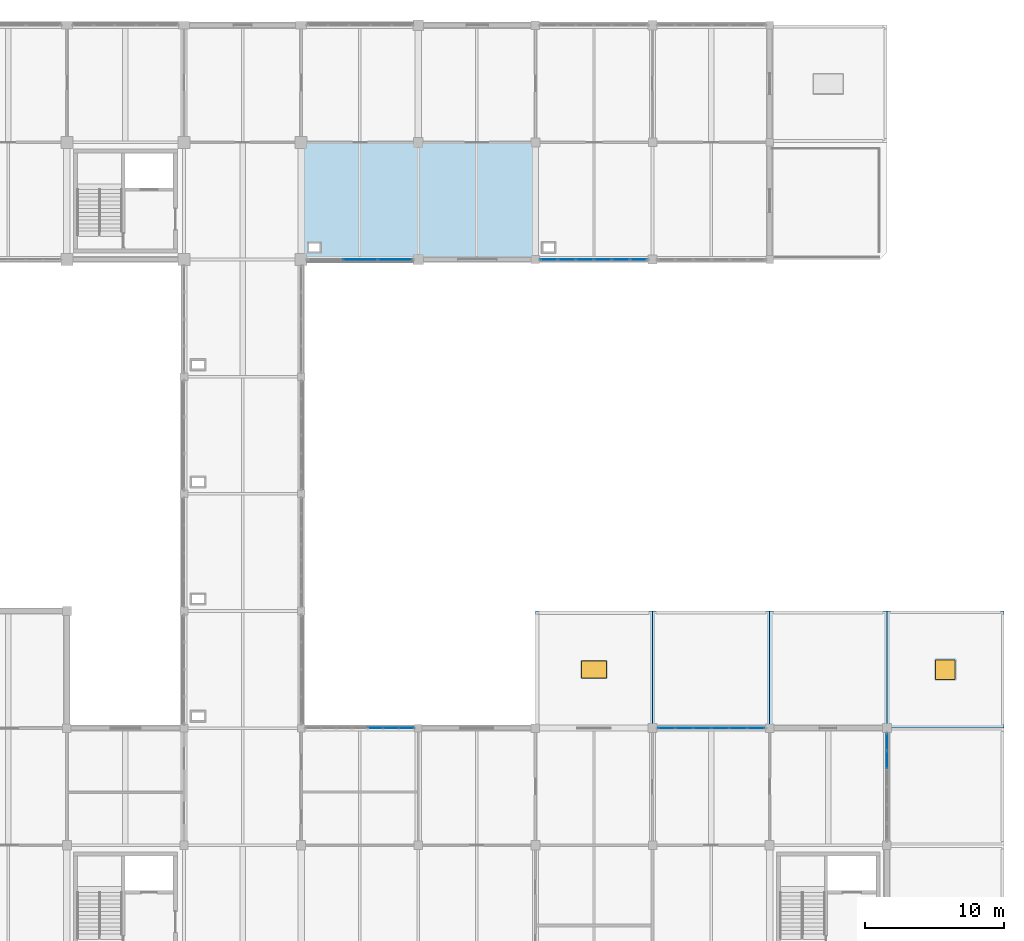
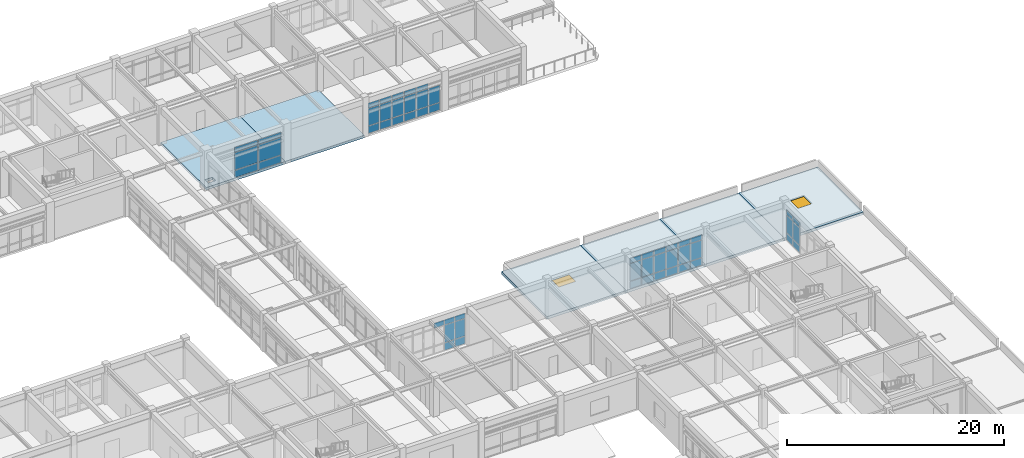
# One storey, part 56 of 78: 54 plates, 6 slabs, 2 windows, 2 openings, 5 elements without a shape of their own.
"""IFC4 building model written with IfcOpenShell, lengths in metres."""

from ifc_helpers import new_model, si_unit, direction, frame, origin, origin_2d, place, context, subcontext, project, spatial, polyline, rectangle, outline, extrude, material, layer, layer_set, type_object, element, fill, aggregate, save


model = new_model("IFC4")

# Units and contexts
model_context = context("Model", 3, precision=1e-05, world=origin(), true_north=direction((0.0, 1.0)))
body_context = subcontext(model_context, "Body", "Model", "MODEL_VIEW")
ifc_project = project(units=[si_unit("LENGTHUNIT", "METRE"), si_unit("AREAUNIT", "SQUARE_METRE"), si_unit("VOLUMEUNIT", "CUBIC_METRE"), si_unit("PLANEANGLEUNIT", "RADIAN"), si_unit("MASSUNIT", "GRAM", prefix="KILO")], contexts=[model_context])

# Site, building, storey
site_placement = place(None, origin())
site = spatial("IfcSite", under=ifc_project, at=site_placement, CompositionType="ELEMENT")
building_placement = place(site_placement, origin())
building = spatial("IfcBuilding", under=site, at=building_placement, Name="Porcellanite Civic Hall", CompositionType="ELEMENT")
storey_placement = place(building_placement, frame((0.0, 0.0, 10.260009765625)))
storey = spatial("IfcBuildingStorey", under=building, at=storey_placement, Name="L02", CompositionType="ELEMENT", Elevation=10.260009765625)

# Curtain wall, plates
ifc_material_1 = material(Name="Anodised aluminium and solar laminated glass", Category="aluminium")
ifc_layer_1 = layer(ifc_material_1, 0.179931640625)
ifc_layer_set_1 = layer_set([ifc_layer_1], Name="Anodised aluminium and solar laminated glass")
curtain_wall_type_1 = type_object("IfcCurtainWallType", Name="CW-SYS07", PredefinedType="NOTDEFINED", material=ifc_layer_set_1)
curtain_wall_1_placement = place(storey_placement, origin())
curtain_wall_1 = element("IfcCurtainWall", 1, at=curtain_wall_1_placement, inside=storey, type_object=curtain_wall_type_1, Name="Curtain wall CW-171", PredefinedType="NOTDEFINED")
ifc_material_2 = material(Name="Cyclone laminated solar-control low-E glass", Category="glass")
ifc_layer_2 = layer(ifc_material_2, 0.02587890625)
ifc_layer_set_2 = layer_set([ifc_layer_2], Name="Cyclone laminated solar-control low-E glass")
plate_type_1 = type_object("IfcPlateType", Name="CWP-02", PredefinedType="CURTAIN_PANEL", material=ifc_layer_set_2)
plate_1_placement = place(storey_placement, frame((131.321044921875, 67.199951171875, 2.9150390625), z_axis=(0.0, 0.0, 1.0), x_axis=(1.0, 0.0, 0.0)))
plate_1 = element("IfcPlate", 2, at=plate_1_placement, type_object=plate_type_1, Name="CW-171 panel 5.3", PredefinedType="CURTAIN_PANEL", context=body_context, shape_type="SweptSolid", body=[
    extrude(rectangle(XDim=1.06103515625, YDim=0.02587890625, at=origin_2d()), origin(), (0.0, 0.0, 1.0), 0.574951171875),
])
plate_2_placement = place(storey_placement, frame((132.4423828125, 67.199951171875, 0.0498046875), z_axis=(0.0, 0.0, 1.0), x_axis=(1.0, 0.0, 0.0)))
plate_2 = element("IfcPlate", 3, at=plate_2_placement, type_object=plate_type_1, Name="CW-171 panel 6.1", PredefinedType="CURTAIN_PANEL", context=body_context, shape_type="SweptSolid", body=[
    extrude(rectangle(XDim=1.06103515625, YDim=0.02587890625, at=origin_2d()), origin(), (0.0, 0.0, 1.0), 0.824951171875),
])
plate_3_placement = place(storey_placement, frame((132.4423828125, 67.199951171875, 0.925048828125), z_axis=(0.0, 0.0, 1.0), x_axis=(1.0, 0.0, 0.0)))
plate_3 = element("IfcPlate", 4, at=plate_3_placement, type_object=plate_type_1, Name="CW-171 panel 6.2", PredefinedType="CURTAIN_PANEL", context=body_context, shape_type="SweptSolid", body=[
    extrude(rectangle(XDim=1.06103515625, YDim=0.02587890625, at=origin_2d()), origin(), (0.0, 0.0, 1.0), 1.93994140625),
])
plate_4_placement = place(storey_placement, frame((132.4423828125, 67.199951171875, 2.9150390625), z_axis=(0.0, 0.0, 1.0), x_axis=(1.0, 0.0, 0.0)))
plate_4 = element("IfcPlate", 5, at=plate_4_placement, type_object=plate_type_1, Name="CW-171 panel 6.3", PredefinedType="CURTAIN_PANEL", context=body_context, shape_type="SweptSolid", body=[
    extrude(rectangle(XDim=1.06103515625, YDim=0.02587890625, at=origin_2d()), origin(), (0.0, 0.0, 1.0), 0.574951171875),
])
plate_5_placement = place(storey_placement, frame((133.54833984375, 67.199951171875, 0.0498046875), z_axis=(0.0, 0.0, 1.0), x_axis=(1.0, 0.0, 0.0)))
plate_5 = element("IfcPlate", 6, at=plate_5_placement, type_object=plate_type_1, Name="CW-171 panel 7.1", PredefinedType="CURTAIN_PANEL", context=body_context, shape_type="SweptSolid", body=[
    extrude(rectangle(XDim=1.03125, YDim=0.02587890625, at=origin_2d()), origin(), (0.0, 0.0, 1.0), 0.824951171875),
])
plate_6_placement = place(storey_placement, frame((133.54833984375, 67.199951171875, 0.925048828125), z_axis=(0.0, 0.0, 1.0), x_axis=(1.0, 0.0, 0.0)))
plate_6 = element("IfcPlate", 7, at=plate_6_placement, type_object=plate_type_1, Name="CW-171 panel 7.2", PredefinedType="CURTAIN_PANEL", context=body_context, shape_type="SweptSolid", body=[
    extrude(rectangle(XDim=1.03125, YDim=0.02587890625, at=origin_2d()), origin(), (0.0, 0.0, 1.0), 1.93994140625),
])
plate_7_placement = place(storey_placement, frame((133.54833984375, 67.199951171875, 2.9150390625), z_axis=(0.0, 0.0, 1.0), x_axis=(1.0, 0.0, 0.0)))
plate_7 = element("IfcPlate", 8, at=plate_7_placement, type_object=plate_type_1, Name="CW-171 panel 7.3", PredefinedType="CURTAIN_PANEL", context=body_context, shape_type="SweptSolid", body=[
    extrude(rectangle(XDim=1.03125, YDim=0.02587890625, at=origin_2d()), origin(), (0.0, 0.0, 1.0), 0.574951171875),
])
aggregate(curtain_wall_1, [plate_1, plate_2, plate_3, plate_4, plate_5, plate_6, plate_7])

ifc_material_3 = material(Name="Anodised aluminium and solar laminated glass", Category="aluminium")
ifc_layer_3 = layer(ifc_material_3, 0.179931640625)
ifc_layer_set_3 = layer_set([ifc_layer_3], Name="Anodised aluminium and solar laminated glass")
curtain_wall_type_2 = type_object("IfcCurtainWallType", Name="CW-SYS02", PredefinedType="NOTDEFINED", material=ifc_layer_set_3)
curtain_wall_2_placement = place(storey_placement, origin())
curtain_wall_2 = element("IfcCurtainWall", 9, at=curtain_wall_2_placement, inside=storey, type_object=curtain_wall_type_2, Name="Curtain wall CW-176", PredefinedType="NOTDEFINED")
plate_8_placement = place(storey_placement, frame((150.20751953125, 100.800048828125, 0.06494140625), z_axis=(0.0, 0.0, 1.0), x_axis=(-1.0, 0.0, 0.0)))
plate_8 = element("IfcPlate", 10, at=plate_8_placement, type_object=plate_type_1, Name="CW-176 panel 1.1", PredefinedType="CURTAIN_PANEL", context=body_context, shape_type="SweptSolid", body=[
    extrude(rectangle(XDim=1.18310546875, YDim=0.02587890625, at=origin_2d()), origin(), (0.0, 0.0, 1.0), 0.802490234375),
])
plate_9_placement = place(storey_placement, frame((150.20751953125, 100.800048828125, 0.9326171875), z_axis=(0.0, 0.0, 1.0), x_axis=(-1.0, 0.0, 0.0)))
plate_9 = element("IfcPlate", 11, at=plate_9_placement, type_object=plate_type_1, Name="CW-176 panel 1.2", PredefinedType="CURTAIN_PANEL", context=body_context, shape_type="SweptSolid", body=[
    extrude(rectangle(XDim=1.18310546875, YDim=0.02587890625, at=origin_2d()), origin(), (0.0, 0.0, 1.0), 1.925048828125),
])
plate_10_placement = place(storey_placement, frame((148.9306640625, 100.800048828125, 0.06494140625), z_axis=(0.0, 0.0, 1.0), x_axis=(-1.0, 0.0, 0.0)))
plate_10 = element("IfcPlate", 12, at=plate_10_placement, type_object=plate_type_1, Name="CW-176 panel 2.1", PredefinedType="CURTAIN_PANEL", context=body_context, shape_type="SweptSolid", body=[
    extrude(rectangle(XDim=1.220458984375, YDim=0.02587890625, at=origin_2d()), origin(), (0.0, 0.0, 1.0), 0.802490234375),
])
plate_11_placement = place(storey_placement, frame((148.9306640625, 100.800048828125, 0.9326171875), z_axis=(0.0, 0.0, 1.0), x_axis=(-1.0, 0.0, 0.0)))
plate_11 = element("IfcPlate", 13, at=plate_11_placement, type_object=plate_type_1, Name="CW-176 panel 2.2", PredefinedType="CURTAIN_PANEL", context=body_context, shape_type="SweptSolid", body=[
    extrude(rectangle(XDim=1.220458984375, YDim=0.02587890625, at=origin_2d()), origin(), (0.0, 0.0, 1.0), 1.925048828125),
])
plate_12_placement = place(storey_placement, frame((148.9306640625, 100.800048828125, 2.92236328125), z_axis=(0.0, 0.0, 1.0), x_axis=(-1.0, 0.0, 0.0)))
plate_12 = element("IfcPlate", 14, at=plate_12_placement, type_object=plate_type_1, Name="CW-176 panel 2.3", PredefinedType="CURTAIN_PANEL", context=body_context, shape_type="SweptSolid", body=[
    extrude(rectangle(XDim=1.220458984375, YDim=0.02587890625, at=origin_2d()), origin(), (0.0, 0.0, 1.0), 0.552490234375),
])
plate_13_placement = place(storey_placement, frame((147.63525390625, 100.800048828125, 0.06494140625), z_axis=(0.0, 0.0, 1.0), x_axis=(-1.0, 0.0, 0.0)))
plate_13 = element("IfcPlate", 15, at=plate_13_placement, type_object=plate_type_1, Name="CW-176 panel 3.1", PredefinedType="CURTAIN_PANEL", context=body_context, shape_type="SweptSolid", body=[
    extrude(rectangle(XDim=1.220458984375, YDim=0.02587890625, at=origin_2d()), origin(), (0.0, 0.0, 1.0), 0.802490234375),
])
plate_14_placement = place(storey_placement, frame((147.63525390625, 100.800048828125, 0.9326171875), z_axis=(0.0, 0.0, 1.0), x_axis=(-1.0, 0.0, 0.0)))
plate_14 = element("IfcPlate", 16, at=plate_14_placement, type_object=plate_type_1, Name="CW-176 panel 3.2", PredefinedType="CURTAIN_PANEL", context=body_context, shape_type="SweptSolid", body=[
    extrude(rectangle(XDim=1.220458984375, YDim=0.02587890625, at=origin_2d()), origin(), (0.0, 0.0, 1.0), 1.925048828125),
])
plate_15_placement = place(storey_placement, frame((147.63525390625, 100.800048828125, 2.92236328125), z_axis=(0.0, 0.0, 1.0), x_axis=(-1.0, 0.0, 0.0)))
plate_15 = element("IfcPlate", 17, at=plate_15_placement, type_object=plate_type_1, Name="CW-176 panel 3.3", PredefinedType="CURTAIN_PANEL", context=body_context, shape_type="SweptSolid", body=[
    extrude(rectangle(XDim=1.220458984375, YDim=0.02587890625, at=origin_2d()), origin(), (0.0, 0.0, 1.0), 0.552490234375),
])
plate_16_placement = place(storey_placement, frame((146.33984375, 100.800048828125, 0.06494140625), z_axis=(0.0, 0.0, 1.0), x_axis=(-1.0, 0.0, 0.0)))
plate_16 = element("IfcPlate", 18, at=plate_16_placement, type_object=plate_type_1, Name="CW-176 panel 4.1", PredefinedType="CURTAIN_PANEL", context=body_context, shape_type="SweptSolid", body=[
    extrude(rectangle(XDim=1.220458984375, YDim=0.02587890625, at=origin_2d()), origin(), (0.0, 0.0, 1.0), 0.802490234375),
])
plate_17_placement = place(storey_placement, frame((146.33984375, 100.800048828125, 0.9326171875), z_axis=(0.0, 0.0, 1.0), x_axis=(-1.0, 0.0, 0.0)))
plate_17 = element("IfcPlate", 19, at=plate_17_placement, type_object=plate_type_1, Name="CW-176 panel 4.2", PredefinedType="CURTAIN_PANEL", context=body_context, shape_type="SweptSolid", body=[
    extrude(rectangle(XDim=1.220458984375, YDim=0.02587890625, at=origin_2d()), origin(), (0.0, 0.0, 1.0), 1.925048828125),
])
plate_18_placement = place(storey_placement, frame((146.33984375, 100.800048828125, 2.92236328125), z_axis=(0.0, 0.0, 1.0), x_axis=(-1.0, 0.0, 0.0)))
plate_18 = element("IfcPlate", 20, at=plate_18_placement, type_object=plate_type_1, Name="CW-176 panel 4.3", PredefinedType="CURTAIN_PANEL", context=body_context, shape_type="SweptSolid", body=[
    extrude(rectangle(XDim=1.220458984375, YDim=0.02587890625, at=origin_2d()), origin(), (0.0, 0.0, 1.0), 0.552490234375),
])
plate_19_placement = place(storey_placement, frame((145.044189453125, 100.800048828125, 0.06494140625), z_axis=(0.0, 0.0, 1.0), x_axis=(-1.0, 0.0, 0.0)))
plate_19 = element("IfcPlate", 21, at=plate_19_placement, type_object=plate_type_1, Name="CW-176 panel 5.1", PredefinedType="CURTAIN_PANEL", context=body_context, shape_type="SweptSolid", body=[
    extrude(rectangle(XDim=1.220458984375, YDim=0.02587890625, at=origin_2d()), origin(), (0.0, 0.0, 1.0), 0.802490234375),
])
plate_20_placement = place(storey_placement, frame((145.044189453125, 100.800048828125, 0.9326171875), z_axis=(0.0, 0.0, 1.0), x_axis=(-1.0, 0.0, 0.0)))
plate_20 = element("IfcPlate", 22, at=plate_20_placement, type_object=plate_type_1, Name="CW-176 panel 5.2", PredefinedType="CURTAIN_PANEL", context=body_context, shape_type="SweptSolid", body=[
    extrude(rectangle(XDim=1.220458984375, YDim=0.02587890625, at=origin_2d()), origin(), (0.0, 0.0, 1.0), 1.925048828125),
])
plate_21_placement = place(storey_placement, frame((145.044189453125, 100.800048828125, 2.92236328125), z_axis=(0.0, 0.0, 1.0), x_axis=(-1.0, 0.0, 0.0)))
plate_21 = element("IfcPlate", 23, at=plate_21_placement, type_object=plate_type_1, Name="CW-176 panel 5.3", PredefinedType="CURTAIN_PANEL", context=body_context, shape_type="SweptSolid", body=[
    extrude(rectangle(XDim=1.220458984375, YDim=0.02587890625, at=origin_2d()), origin(), (0.0, 0.0, 1.0), 0.552490234375),
])
plate_22_placement = place(storey_placement, frame((143.767578125, 100.800048828125, 0.06494140625), z_axis=(0.0, 0.0, 1.0), x_axis=(-1.0, 0.0, 0.0)))
plate_22 = element("IfcPlate", 24, at=plate_22_placement, type_object=plate_type_1, Name="CW-176 panel 6.1", PredefinedType="CURTAIN_PANEL", context=body_context, shape_type="SweptSolid", body=[
    extrude(rectangle(XDim=1.18310546875, YDim=0.02587890625, at=origin_2d()), origin(), (0.0, 0.0, 1.0), 0.802490234375),
])
plate_23_placement = place(storey_placement, frame((143.767578125, 100.800048828125, 0.9326171875), z_axis=(0.0, 0.0, 1.0), x_axis=(-1.0, 0.0, 0.0)))
plate_23 = element("IfcPlate", 25, at=plate_23_placement, type_object=plate_type_1, Name="CW-176 panel 6.2", PredefinedType="CURTAIN_PANEL", context=body_context, shape_type="SweptSolid", body=[
    extrude(rectangle(XDim=1.18310546875, YDim=0.02587890625, at=origin_2d()), origin(), (0.0, 0.0, 1.0), 1.925048828125),
])
plate_24_placement = place(storey_placement, frame((143.767578125, 100.800048828125, 2.92236328125), z_axis=(0.0, 0.0, 1.0), x_axis=(-1.0, 0.0, 0.0)))
plate_24 = element("IfcPlate", 26, at=plate_24_placement, type_object=plate_type_1, Name="CW-176 panel 6.3", PredefinedType="CURTAIN_PANEL", context=body_context, shape_type="SweptSolid", body=[
    extrude(rectangle(XDim=1.18310546875, YDim=0.02587890625, at=origin_2d()), origin(), (0.0, 0.0, 1.0), 0.552490234375),
])
aggregate(curtain_wall_2, [plate_8, plate_9, plate_10, plate_11, plate_12, plate_13, plate_14, plate_15, plate_16, plate_17, plate_18, plate_19, plate_20, plate_21, plate_22, plate_23, plate_24])

curtain_wall_3_placement = place(storey_placement, origin())
curtain_wall_3 = element("IfcCurtainWall", 27, at=curtain_wall_3_placement, inside=storey, type_object=curtain_wall_type_2, Name="Curtain wall CW-178", PredefinedType="NOTDEFINED")
plate_25_placement = place(storey_placement, frame((152.1923828125, 67.199951171875, 0.06494140625), z_axis=(0.0, 0.0, 1.0), x_axis=(1.0, 0.0, 0.0)))
plate_25 = element("IfcPlate", 28, at=plate_25_placement, type_object=plate_type_1, Name="CW-178 panel 1.1", PredefinedType="CURTAIN_PANEL", context=body_context, shape_type="SweptSolid", body=[
    extrude(rectangle(XDim=1.18310546875, YDim=0.02587890625, at=origin_2d()), origin(), (0.0, 0.0, 1.0), 0.802490234375),
])
plate_26_placement = place(storey_placement, frame((152.1923828125, 67.199951171875, 0.9326171875), z_axis=(0.0, 0.0, 1.0), x_axis=(1.0, 0.0, 0.0)))
plate_26 = element("IfcPlate", 29, at=plate_26_placement, type_object=plate_type_1, Name="CW-178 panel 1.2", PredefinedType="CURTAIN_PANEL", context=body_context, shape_type="SweptSolid", body=[
    extrude(rectangle(XDim=1.18310546875, YDim=0.02587890625, at=origin_2d()), origin(), (0.0, 0.0, 1.0), 1.925048828125),
])
plate_27_placement = place(storey_placement, frame((152.1923828125, 67.199951171875, 2.92236328125), z_axis=(0.0, 0.0, 1.0), x_axis=(1.0, 0.0, 0.0)))
plate_27 = element("IfcPlate", 30, at=plate_27_placement, type_object=plate_type_1, Name="CW-178 panel 1.3", PredefinedType="CURTAIN_PANEL", context=body_context, shape_type="SweptSolid", body=[
    extrude(rectangle(XDim=1.18310546875, YDim=0.02587890625, at=origin_2d()), origin(), (0.0, 0.0, 1.0), 0.552490234375),
])
plate_28_placement = place(storey_placement, frame((153.46923828125, 67.199951171875, 0.06494140625), z_axis=(0.0, 0.0, 1.0), x_axis=(1.0, 0.0, 0.0)))
plate_28 = element("IfcPlate", 31, at=plate_28_placement, type_object=plate_type_1, Name="CW-178 panel 2.1", PredefinedType="CURTAIN_PANEL", context=body_context, shape_type="SweptSolid", body=[
    extrude(rectangle(XDim=1.220458984375, YDim=0.02587890625, at=origin_2d()), origin(), (0.0, 0.0, 1.0), 0.802490234375),
])
plate_29_placement = place(storey_placement, frame((153.46923828125, 67.199951171875, 0.9326171875), z_axis=(0.0, 0.0, 1.0), x_axis=(1.0, 0.0, 0.0)))
plate_29 = element("IfcPlate", 32, at=plate_29_placement, type_object=plate_type_1, Name="CW-178 panel 2.2", PredefinedType="CURTAIN_PANEL", context=body_context, shape_type="SweptSolid", body=[
    extrude(rectangle(XDim=1.220458984375, YDim=0.02587890625, at=origin_2d()), origin(), (0.0, 0.0, 1.0), 1.925048828125),
])
plate_30_placement = place(storey_placement, frame((153.46923828125, 67.199951171875, 2.92236328125), z_axis=(0.0, 0.0, 1.0), x_axis=(1.0, 0.0, 0.0)))
plate_30 = element("IfcPlate", 33, at=plate_30_placement, type_object=plate_type_1, Name="CW-178 panel 2.3", PredefinedType="CURTAIN_PANEL", context=body_context, shape_type="SweptSolid", body=[
    extrude(rectangle(XDim=1.220458984375, YDim=0.02587890625, at=origin_2d()), origin(), (0.0, 0.0, 1.0), 0.552490234375),
])
plate_31_placement = place(storey_placement, frame((154.7646484375, 67.199951171875, 0.06494140625), z_axis=(0.0, 0.0, 1.0), x_axis=(1.0, 0.0, 0.0)))
plate_31 = element("IfcPlate", 34, at=plate_31_placement, type_object=plate_type_1, Name="CW-178 panel 3.1", PredefinedType="CURTAIN_PANEL", context=body_context, shape_type="SweptSolid", body=[
    extrude(rectangle(XDim=1.220458984375, YDim=0.02587890625, at=origin_2d()), origin(), (0.0, 0.0, 1.0), 0.802490234375),
])
plate_32_placement = place(storey_placement, frame((154.7646484375, 67.199951171875, 0.9326171875), z_axis=(0.0, 0.0, 1.0), x_axis=(1.0, 0.0, 0.0)))
plate_32 = element("IfcPlate", 35, at=plate_32_placement, type_object=plate_type_1, Name="CW-178 panel 3.2", PredefinedType="CURTAIN_PANEL", context=body_context, shape_type="SweptSolid", body=[
    extrude(rectangle(XDim=1.220458984375, YDim=0.02587890625, at=origin_2d()), origin(), (0.0, 0.0, 1.0), 1.925048828125),
])
plate_33_placement = place(storey_placement, frame((154.7646484375, 67.199951171875, 2.92236328125), z_axis=(0.0, 0.0, 1.0), x_axis=(1.0, 0.0, 0.0)))
plate_33 = element("IfcPlate", 36, at=plate_33_placement, type_object=plate_type_1, Name="CW-178 panel 3.3", PredefinedType="CURTAIN_PANEL", context=body_context, shape_type="SweptSolid", body=[
    extrude(rectangle(XDim=1.220458984375, YDim=0.02587890625, at=origin_2d()), origin(), (0.0, 0.0, 1.0), 0.552490234375),
])
plate_34_placement = place(storey_placement, frame((156.060302734375, 67.199951171875, 0.06494140625), z_axis=(0.0, 0.0, 1.0), x_axis=(1.0, 0.0, 0.0)))
plate_34 = element("IfcPlate", 37, at=plate_34_placement, type_object=plate_type_1, Name="CW-178 panel 4.1", PredefinedType="CURTAIN_PANEL", context=body_context, shape_type="SweptSolid", body=[
    extrude(rectangle(XDim=1.220458984375, YDim=0.02587890625, at=origin_2d()), origin(), (0.0, 0.0, 1.0), 0.802490234375),
])
plate_35_placement = place(storey_placement, frame((156.060302734375, 67.199951171875, 0.9326171875), z_axis=(0.0, 0.0, 1.0), x_axis=(1.0, 0.0, 0.0)))
plate_35 = element("IfcPlate", 38, at=plate_35_placement, type_object=plate_type_1, Name="CW-178 panel 4.2", PredefinedType="CURTAIN_PANEL", context=body_context, shape_type="SweptSolid", body=[
    extrude(rectangle(XDim=1.220458984375, YDim=0.02587890625, at=origin_2d()), origin(), (0.0, 0.0, 1.0), 1.925048828125),
])
plate_36_placement = place(storey_placement, frame((156.060302734375, 67.199951171875, 2.92236328125), z_axis=(0.0, 0.0, 1.0), x_axis=(1.0, 0.0, 0.0)))
plate_36 = element("IfcPlate", 39, at=plate_36_placement, type_object=plate_type_1, Name="CW-178 panel 4.3", PredefinedType="CURTAIN_PANEL", context=body_context, shape_type="SweptSolid", body=[
    extrude(rectangle(XDim=1.220458984375, YDim=0.02587890625, at=origin_2d()), origin(), (0.0, 0.0, 1.0), 0.552490234375),
])
plate_37_placement = place(storey_placement, frame((157.355712890625, 67.199951171875, 0.06494140625), z_axis=(0.0, 0.0, 1.0), x_axis=(1.0, 0.0, 0.0)))
plate_37 = element("IfcPlate", 40, at=plate_37_placement, type_object=plate_type_1, Name="CW-178 panel 5.1", PredefinedType="CURTAIN_PANEL", context=body_context, shape_type="SweptSolid", body=[
    extrude(rectangle(XDim=1.220458984375, YDim=0.02587890625, at=origin_2d()), origin(), (0.0, 0.0, 1.0), 0.802490234375),
])
plate_38_placement = place(storey_placement, frame((157.355712890625, 67.199951171875, 0.9326171875), z_axis=(0.0, 0.0, 1.0), x_axis=(1.0, 0.0, 0.0)))
plate_38 = element("IfcPlate", 41, at=plate_38_placement, type_object=plate_type_1, Name="CW-178 panel 5.2", PredefinedType="CURTAIN_PANEL", context=body_context, shape_type="SweptSolid", body=[
    extrude(rectangle(XDim=1.220458984375, YDim=0.02587890625, at=origin_2d()), origin(), (0.0, 0.0, 1.0), 1.925048828125),
])
plate_39_placement = place(storey_placement, frame((157.355712890625, 67.199951171875, 2.92236328125), z_axis=(0.0, 0.0, 1.0), x_axis=(1.0, 0.0, 0.0)))
plate_39 = element("IfcPlate", 42, at=plate_39_placement, type_object=plate_type_1, Name="CW-178 panel 5.3", PredefinedType="CURTAIN_PANEL", context=body_context, shape_type="SweptSolid", body=[
    extrude(rectangle(XDim=1.220458984375, YDim=0.02587890625, at=origin_2d()), origin(), (0.0, 0.0, 1.0), 0.552490234375),
])
plate_40_placement = place(storey_placement, frame((158.632568359375, 67.199951171875, 0.06494140625), z_axis=(0.0, 0.0, 1.0), x_axis=(1.0, 0.0, 0.0)))
plate_40 = element("IfcPlate", 43, at=plate_40_placement, type_object=plate_type_1, Name="CW-178 panel 6.1", PredefinedType="CURTAIN_PANEL", context=body_context, shape_type="SweptSolid", body=[
    extrude(rectangle(XDim=1.18310546875, YDim=0.02587890625, at=origin_2d()), origin(), (0.0, 0.0, 1.0), 0.802490234375),
])
plate_41_placement = place(storey_placement, frame((158.632568359375, 67.199951171875, 0.9326171875), z_axis=(0.0, 0.0, 1.0), x_axis=(1.0, 0.0, 0.0)))
plate_41 = element("IfcPlate", 44, at=plate_41_placement, type_object=plate_type_1, Name="CW-178 panel 6.2", PredefinedType="CURTAIN_PANEL", context=body_context, shape_type="SweptSolid", body=[
    extrude(rectangle(XDim=1.18310546875, YDim=0.02587890625, at=origin_2d()), origin(), (0.0, 0.0, 1.0), 1.925048828125),
])
plate_42_placement = place(storey_placement, frame((158.632568359375, 67.199951171875, 2.92236328125), z_axis=(0.0, 0.0, 1.0), x_axis=(1.0, 0.0, 0.0)))
plate_42 = element("IfcPlate", 45, at=plate_42_placement, type_object=plate_type_1, Name="CW-178 panel 6.3", PredefinedType="CURTAIN_PANEL", context=body_context, shape_type="SweptSolid", body=[
    extrude(rectangle(XDim=1.18310546875, YDim=0.02587890625, at=origin_2d()), origin(), (0.0, 0.0, 1.0), 0.552490234375),
])
aggregate(curtain_wall_3, [plate_25, plate_26, plate_27, plate_28, plate_29, plate_30, plate_31, plate_32, plate_33, plate_34, plate_35, plate_36, plate_37, plate_38, plate_39, plate_40, plate_41, plate_42])

curtain_wall_4_placement = place(storey_placement, origin())
curtain_wall_4 = element("IfcCurtainWall", 46, at=curtain_wall_4_placement, inside=storey, type_object=curtain_wall_type_2, Name="Curtain wall CW-182", PredefinedType="NOTDEFINED")
plate_43_placement = place(storey_placement, frame((168.0, 66.20751953125, 0.06494140625), z_axis=(0.0, 0.0, 1.0), x_axis=(0.0, -1.0, 0.0)))
plate_43 = element("IfcPlate", 47, at=plate_43_placement, type_object=plate_type_1, Name="CW-182 panel 1.1", PredefinedType="CURTAIN_PANEL", context=body_context, shape_type="SweptSolid", body=[
    extrude(rectangle(XDim=1.18310546875, YDim=0.02587890625, at=origin_2d()), origin(), (0.0, 0.0, 1.0), 0.802490234375),
])
plate_44_placement = place(storey_placement, frame((168.0, 66.20751953125, 0.9326171875), z_axis=(0.0, 0.0, 1.0), x_axis=(0.0, -1.0, 0.0)))
plate_44 = element("IfcPlate", 48, at=plate_44_placement, type_object=plate_type_1, Name="CW-182 panel 1.2", PredefinedType="CURTAIN_PANEL", context=body_context, shape_type="SweptSolid", body=[
    extrude(rectangle(XDim=1.18310546875, YDim=0.02587890625, at=origin_2d()), origin(), (0.0, 0.0, 1.0), 1.925048828125),
])
plate_45_placement = place(storey_placement, frame((168.0, 66.20751953125, 2.92236328125), z_axis=(0.0, 0.0, 1.0), x_axis=(0.0, -1.0, 0.0)))
plate_45 = element("IfcPlate", 49, at=plate_45_placement, type_object=plate_type_1, Name="CW-182 panel 1.3", PredefinedType="CURTAIN_PANEL", context=body_context, shape_type="SweptSolid", body=[
    extrude(rectangle(XDim=1.18310546875, YDim=0.02587890625, at=origin_2d()), origin(), (0.0, 0.0, 1.0), 0.552490234375),
])
plate_46_placement = place(storey_placement, frame((168.0, 64.9306640625, 0.06494140625), z_axis=(0.0, 0.0, 1.0), x_axis=(0.0, -1.0, 0.0)))
plate_46 = element("IfcPlate", 50, at=plate_46_placement, type_object=plate_type_1, Name="CW-182 panel 2.1", PredefinedType="CURTAIN_PANEL", context=body_context, shape_type="SweptSolid", body=[
    extrude(rectangle(XDim=1.220458984375, YDim=0.02587890625, at=origin_2d()), origin(), (0.0, 0.0, 1.0), 0.802490234375),
])
plate_47_placement = place(storey_placement, frame((168.0, 64.9306640625, 0.9326171875), z_axis=(0.0, 0.0, 1.0), x_axis=(0.0, -1.0, 0.0)))
plate_47 = element("IfcPlate", 51, at=plate_47_placement, type_object=plate_type_1, Name="CW-182 panel 2.2", PredefinedType="CURTAIN_PANEL", context=body_context, shape_type="SweptSolid", body=[
    extrude(rectangle(XDim=1.220458984375, YDim=0.02587890625, at=origin_2d()), origin(), (0.0, 0.0, 1.0), 1.925048828125),
])
plate_48_placement = place(storey_placement, frame((168.0, 64.9306640625, 2.92236328125), z_axis=(0.0, 0.0, 1.0), x_axis=(0.0, -1.0, 0.0)))
plate_48 = element("IfcPlate", 52, at=plate_48_placement, type_object=plate_type_1, Name="CW-182 panel 2.3", PredefinedType="CURTAIN_PANEL", context=body_context, shape_type="SweptSolid", body=[
    extrude(rectangle(XDim=1.220458984375, YDim=0.02587890625, at=origin_2d()), origin(), (0.0, 0.0, 1.0), 0.552490234375),
])
aggregate(curtain_wall_4, [plate_43, plate_44, plate_45, plate_46, plate_47, plate_48])

ifc_material_4 = material(Name="Anodised aluminium and solar laminated glass", Category="aluminium")
ifc_layer_4 = layer(ifc_material_4, 0.179931640625)
ifc_layer_set_4 = layer_set([ifc_layer_4], Name="Anodised aluminium and solar laminated glass")
curtain_wall_type_3 = type_object("IfcCurtainWallType", Name="CW-SYS08", PredefinedType="NOTDEFINED", material=ifc_layer_set_4)
curtain_wall_5_placement = place(storey_placement, origin())
curtain_wall_5 = element("IfcCurtainWall", 53, at=curtain_wall_5_placement, inside=storey, type_object=curtain_wall_type_3, Name="Curtain wall CW-172", PredefinedType="NOTDEFINED")
ifc_material_5 = material(Name="Cyclone laminated solar-control low-E glass", Category="glass")
ifc_layer_5 = layer(ifc_material_5, 0.028076171875)
ifc_layer_set_5 = layer_set([ifc_layer_5], Name="Cyclone laminated solar-control low-E glass")
plate_type_2 = type_object("IfcPlateType", Name="CWP-03", PredefinedType="CURTAIN_PANEL", material=ifc_layer_set_5)
plate_49_placement = place(storey_placement, frame((132.737548828125, 100.800048828125, 0.070068359375), z_axis=(0.0, 0.0, 1.0), x_axis=(-1.0, 0.0, 0.0)))
plate_49 = element("IfcPlate", 54, at=plate_49_placement, type_object=plate_type_2, Name="CW-172 panel 1.1", PredefinedType="CURTAIN_PANEL", context=body_context, shape_type="SweptSolid", body=[
    extrude(rectangle(XDim=2.41259765625, YDim=0.028076171875, at=origin_2d()), origin(), (0.0, 0.0, 1.0), 0.794921875),
])
plate_50_placement = place(storey_placement, frame((132.737548828125, 100.800048828125, 0.93505859375), z_axis=(0.0, 0.0, 1.0), x_axis=(-1.0, 0.0, 0.0)))
plate_50 = element("IfcPlate", 55, at=plate_50_placement, type_object=plate_type_2, Name="CW-172 panel 1.2", PredefinedType="CURTAIN_PANEL", context=body_context, shape_type="SweptSolid", body=[
    extrude(rectangle(XDim=2.41259765625, YDim=0.028076171875, at=origin_2d()), origin(), (0.0, 0.0, 1.0), 1.919921875),
])
plate_51_placement = place(storey_placement, frame((132.737548828125, 100.800048828125, 2.925048828125), z_axis=(0.0, 0.0, 1.0), x_axis=(-1.0, 0.0, 0.0)))
plate_51 = element("IfcPlate", 56, at=plate_51_placement, type_object=plate_type_2, Name="CW-172 panel 1.3", PredefinedType="CURTAIN_PANEL", context=body_context, shape_type="SweptSolid", body=[
    extrude(rectangle(XDim=2.41259765625, YDim=0.028076171875, at=origin_2d()), origin(), (0.0, 0.0, 1.0), 0.544921875),
])
plate_52_placement = place(storey_placement, frame((130.22509765625, 100.800048828125, 0.070068359375), z_axis=(0.0, 0.0, 1.0), x_axis=(-1.0, 0.0, 0.0)))
plate_52 = element("IfcPlate", 57, at=plate_52_placement, type_object=plate_type_2, Name="CW-172 panel 2.1", PredefinedType="CURTAIN_PANEL", context=body_context, shape_type="SweptSolid", body=[
    extrude(rectangle(XDim=2.45263671875, YDim=0.028076171875, at=origin_2d()), origin(), (0.0, 0.0, 1.0), 0.794921875),
])
plate_53_placement = place(storey_placement, frame((130.22509765625, 100.800048828125, 0.93505859375), z_axis=(0.0, 0.0, 1.0), x_axis=(-1.0, 0.0, 0.0)))
plate_53 = element("IfcPlate", 58, at=plate_53_placement, type_object=plate_type_2, Name="CW-172 panel 2.2", PredefinedType="CURTAIN_PANEL", context=body_context, shape_type="SweptSolid", body=[
    extrude(rectangle(XDim=2.45263671875, YDim=0.028076171875, at=origin_2d()), origin(), (0.0, 0.0, 1.0), 1.919921875),
])
plate_54_placement = place(storey_placement, frame((130.22509765625, 100.800048828125, 2.925048828125), z_axis=(0.0, 0.0, 1.0), x_axis=(-1.0, 0.0, 0.0)))
plate_54 = element("IfcPlate", 59, at=plate_54_placement, type_object=plate_type_2, Name="CW-172 panel 2.3", PredefinedType="CURTAIN_PANEL", context=body_context, shape_type="SweptSolid", body=[
    extrude(rectangle(XDim=2.45263671875, YDim=0.028076171875, at=origin_2d()), origin(), (0.0, 0.0, 1.0), 0.544921875),
])
aggregate(curtain_wall_5, [plate_49, plate_50, plate_51, plate_52, plate_53, plate_54])

# Slabs
ifc_material_6 = material(Name="Concrete N40 (40 MPa)", Category="concrete")
ifc_layer_6 = layer(ifc_material_6, 0.280029296875)
ifc_layer_set_6 = layer_set([ifc_layer_6], Name="Concrete N40 (40 MPa)")
slab_type_1 = type_object("IfcSlabType", Name="SL-FL280", PredefinedType="FLOOR", material=ifc_layer_set_6)
slab_1_placement = place(storey_placement, frame((0.0, 0.0, -0.280029296875)))
element("IfcSlab", 60, at=slab_1_placement, inside=storey, type_object=slab_type_1, Name="Slab L02 bay 16-13", PredefinedType="FLOOR", context=body_context, shape_type="SweptSolid", body=[
    extrude(outline(polyline([(126.0, 100.800048828125), (134.39990234375, 100.800048828125), (134.39990234375, 109.199951171875), (126.0, 109.199951171875), (126.0, 100.800048828125)]), holes=[polyline([(126.550048828125, 101.35009765625), (127.35009765625, 101.35009765625), (127.35009765625, 101.949951171875), (126.550048828125, 101.949951171875), (126.550048828125, 101.35009765625)])]), origin(), (0.0, 0.0, 1.0), 0.280029296875),
])
slab_2_placement = place(storey_placement, frame((0.0, 0.0, -0.280029296875)))
element("IfcSlab", 61, at=slab_2_placement, inside=storey, type_object=slab_type_1, Name="Slab L02 bay 17-13", PredefinedType="FLOOR", context=body_context, shape_type="SweptSolid", body=[
    extrude(outline(polyline([(134.39990234375, 100.800048828125), (142.800048828125, 100.800048828125), (142.800048828125, 109.199951171875), (134.39990234375, 109.199951171875), (134.39990234375, 100.800048828125)])), origin(), (0.0, 0.0, 1.0), 0.280029296875),
])

# Slab, opening, window
ifc_material_7 = material(Name="Concrete N40 (40 MPa)", Category="concrete")
ifc_layer_7 = layer(ifc_material_7, 0.300048828125)
ifc_layer_set_7 = layer_set([ifc_layer_7], Name="Concrete N40 (40 MPa)")
slab_type_2 = type_object("IfcSlabType", Name="SL-RF300", PredefinedType="ROOF", material=ifc_layer_set_7)
slab_3_placement = place(storey_placement, frame((0.0, 0.0, -0.300048828125)))
slab_3 = element("IfcSlab", 62, at=slab_3_placement, inside=storey, type_object=slab_type_2, Name="Roof slab L02 18-9", PredefinedType="ROOF", context=body_context, shape_type="SweptSolid", body=[
    extrude(outline(polyline([(142.800048828125, 67.199951171875), (151.199951171875, 67.199951171875), (151.199951171875, 75.60009765625), (142.800048828125, 75.60009765625), (142.800048828125, 67.199951171875)])), origin(), (0.0, 0.0, 1.0), 0.300048828125),
])
opening_1_placement = place(slab_3_placement, frame((147.0, 71.39990234375, 0.0)))
opening_1 = element("IfcOpeningElement", 63, at=opening_1_placement, cuts=slab_3, Name="Opening SK3", PredefinedType="OPENING", context=body_context, shape_type="SweptSolid", body=[
    extrude(rectangle(XDim=1.800048828125, YDim=1.199951171875, at=origin_2d()), origin(), (0.0, 0.0, 1.0), 0.300048828125),
])
ifc_material_8 = material(Name="Cyclone laminated low-E glazing in anodised aluminium frame", Category="aluminium")
window_type_1 = type_object("IfcWindowType", Name="SK-03", PartitioningType="DOUBLE_PANEL_VERTICAL", PredefinedType="SKYLIGHT", material=ifc_material_8)
window_1_placement = place(opening_1_placement, frame((0.0, 0.0, 0.25)))
window_1 = element("IfcWindow", 64, at=window_1_placement, inside=storey, type_object=window_type_1, Name="Roof skylight SK3 L02 18-9", OverallHeight=1.199951171875, OverallWidth=1.800048828125, PartitioningType="SINGLE_PANEL", PredefinedType="SKYLIGHT", context=body_context, shape_type="SweptSolid", body=[
    extrude(rectangle(XDim=1.800048828125, YDim=1.199951171875, at=origin_2d()), origin(), (0.0, 0.0, 1.0), 0.050048828125),
])
fill(opening_1, window_1)

# Slabs
slab_4_placement = place(storey_placement, frame((0.0, 0.0, -0.300048828125)))
element("IfcSlab", 65, at=slab_4_placement, inside=storey, type_object=slab_type_2, Name="Roof slab L02 19-9", PredefinedType="ROOF", context=body_context, shape_type="SweptSolid", body=[
    extrude(outline(polyline([(151.199951171875, 67.199951171875), (159.60009765625, 67.199951171875), (159.60009765625, 75.60009765625), (151.199951171875, 75.60009765625), (151.199951171875, 67.199951171875)])), origin(), (0.0, 0.0, 1.0), 0.300048828125),
])
slab_5_placement = place(storey_placement, frame((0.0, 0.0, -0.300048828125)))
element("IfcSlab", 66, at=slab_5_placement, inside=storey, type_object=slab_type_2, Name="Roof slab L02 20-9", PredefinedType="ROOF", context=body_context, shape_type="SweptSolid", body=[
    extrude(outline(polyline([(159.60009765625, 67.199951171875), (168.0, 67.199951171875), (168.0, 75.60009765625), (159.60009765625, 75.60009765625), (159.60009765625, 67.199951171875)])), origin(), (0.0, 0.0, 1.0), 0.300048828125),
])

# Slab, opening, window
slab_6_placement = place(storey_placement, frame((0.0, 0.0, -0.300048828125)))
slab_6 = element("IfcSlab", 67, at=slab_6_placement, inside=storey, type_object=slab_type_2, Name="Roof slab L02 21-9", PredefinedType="ROOF", context=body_context, shape_type="SweptSolid", body=[
    extrude(outline(polyline([(168.0, 67.199951171875), (176.39990234375, 67.199951171875), (176.39990234375, 75.60009765625), (168.0, 75.60009765625), (168.0, 67.199951171875)])), origin(), (0.0, 0.0, 1.0), 0.300048828125),
])
opening_2_placement = place(slab_6_placement, frame((172.199951171875, 71.39990234375, 0.0)))
opening_2 = element("IfcOpeningElement", 68, at=opening_2_placement, cuts=slab_6, Name="Opening SK7", PredefinedType="OPENING", context=body_context, shape_type="SweptSolid", body=[
    extrude(rectangle(XDim=1.39990234375, YDim=1.39990234375, at=origin_2d()), origin(), (0.0, 0.0, 1.0), 0.300048828125),
])
ifc_material_9 = material(Name="Cyclone laminated low-E glazing in anodised aluminium frame", Category="aluminium")
window_type_2 = type_object("IfcWindowType", Name="SK-07", PartitioningType="SINGLE_PANEL", PredefinedType="SKYLIGHT", material=ifc_material_9)
window_2_placement = place(opening_2_placement, frame((0.0, 0.0, 0.25)))
window_2 = element("IfcWindow", 69, at=window_2_placement, inside=storey, type_object=window_type_2, Name="Roof skylight SK7 L02 21-9", OverallHeight=1.39990234375, OverallWidth=1.39990234375, PartitioningType="SINGLE_PANEL", PredefinedType="SKYLIGHT", context=body_context, shape_type="SweptSolid", body=[
    extrude(rectangle(XDim=1.39990234375, YDim=1.39990234375, at=origin_2d()), origin(), (0.0, 0.0, 1.0), 0.050048828125),
])
fill(opening_2, window_2)

save(model, "model.ifc")
